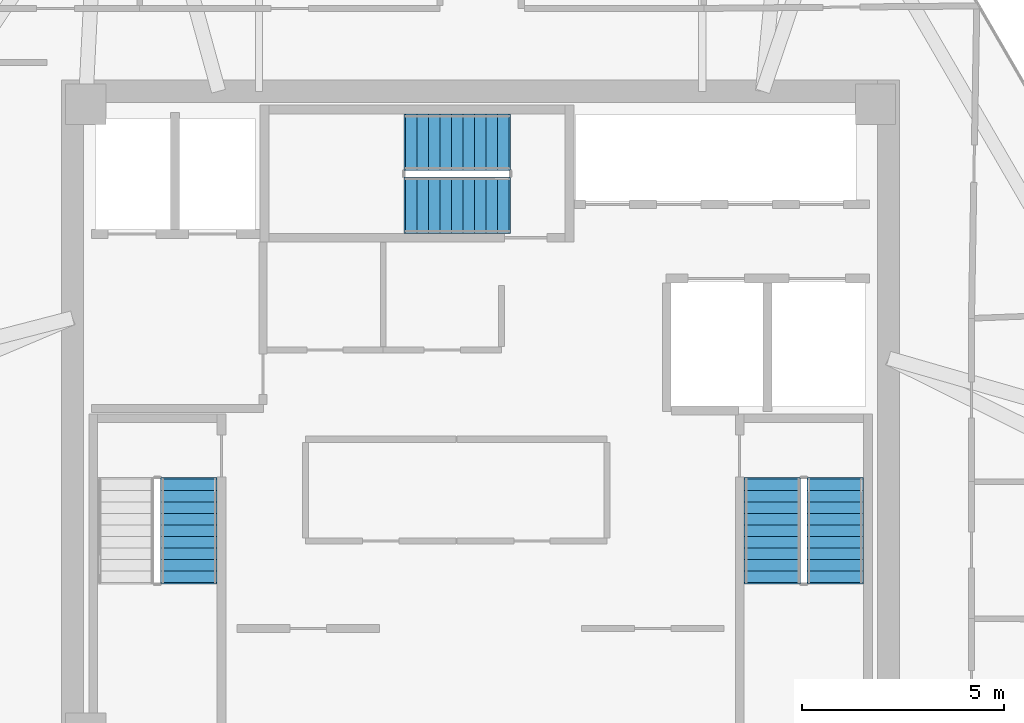
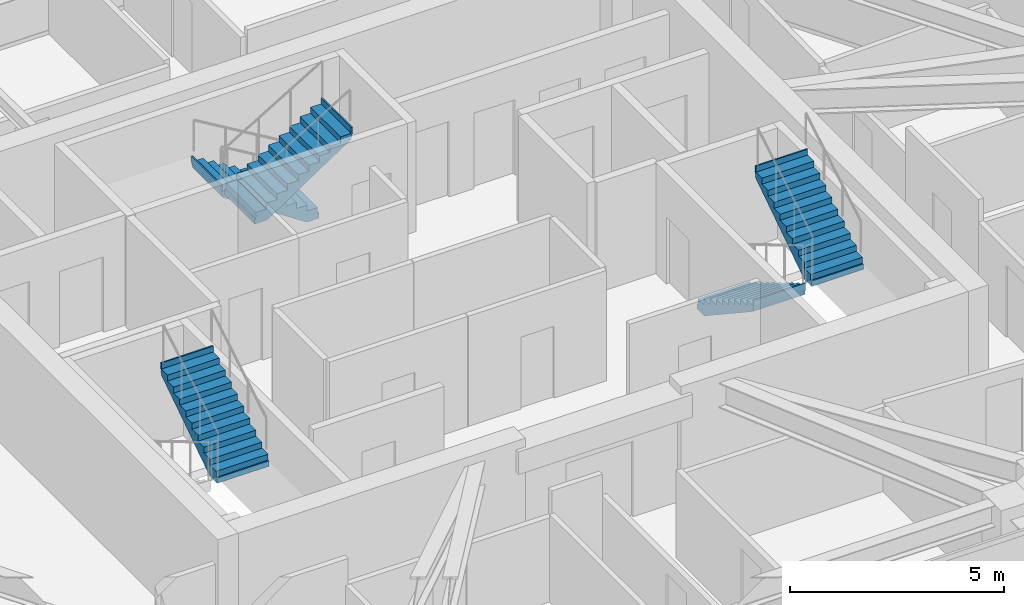
# One storey, part 12 of 13: 5 stair flights, 3 elements without a shape of their own.
"""IFC4 building model written with IfcOpenShell, lengths in metres."""

import ifcopenshell
import ifcopenshell.guid

model = None  # the IFC model being written
_history = None  # IfcOwnerHistory: only IFC2X3 demands one
_inside = {}  # id of a spatial element -> (the spatial element, [elements in it])
_under = {}  # id of a project, library or spatial element -> (it, [spatial elements below it])
_declared = {}  # id of a project -> (the project, [libraries it declares])
_typed = {}  # id of a type object -> (the type object, [elements of that type])
_made_of = {}  # id of a material, layer set ... -> (it, [elements and type objects made of it])


def new_model(schema):
    """Start an empty IFC model of exactly this schema.

    Asked for "IFC4X3", IfcOpenShell would pick the latest addendum, in which some entities
    have other attributes; the version numbers below select the first issue.
    IFC2X3 requires an IfcOwnerHistory on every rooted entity: one is made here for all.
    """
    global model, _history
    if schema == "IFC4X3":
        model = ifcopenshell.file(schema_version=(4, 3, 0, 0))
    else:
        model = ifcopenshell.file(schema=schema)
    _inside.clear()
    _under.clear()
    _declared.clear()
    _typed.clear()
    _made_of.clear()
    _history = None
    if model.schema == "IFC2X3":
        org = make("IfcOrganization", Name="unknown")
        user = make(
            "IfcPersonAndOrganization",
            ThePerson=make("IfcPerson", FamilyName="unknown"),
            TheOrganization=org,
        )
        app = make(
            "IfcApplication",
            ApplicationDeveloper=org,
            Version="unknown",
            ApplicationFullName="unknown",
            ApplicationIdentifier="unknown",
        )
        _history = make(
            "IfcOwnerHistory",
            OwningUser=user,
            OwningApplication=app,
            ChangeAction="ADDED",
            CreationDate=0,
        )
    return model


def make(cls, **values):
    """One entity of the class cls with the attributes given. An attribute that is None is left unset."""
    return model.create_entity(
        cls, **{name: value for name, value in values.items() if value is not None}
    )


def rooted(cls, **values):
    """An entity with a GlobalId (a new one), such as an element, a storey or a relation."""
    return make(cls, GlobalId=ifcopenshell.guid.new(), OwnerHistory=_history, **values)


def si_unit(unit_type, name, prefix=None):
    """IfcSIUnit, for example si_unit("LENGTHUNIT", "METRE", prefix="MILLI")."""
    return make("IfcSIUnit", UnitType=unit_type, Prefix=prefix, Name=name)


def assignment(units):
    """IfcUnitAssignment: the units of a project."""
    return None if units is None else make("IfcUnitAssignment", Units=units)


def point(xyz):
    """IfcCartesianPoint."""
    return None if xyz is None else make("IfcCartesianPoint", Coordinates=xyz)


def direction(xyz):
    """IfcDirection."""
    return None if xyz is None else make("IfcDirection", DirectionRatios=xyz)


def frame(location, z_axis=None, x_axis=None):
    """IfcAxis2Placement3D, a coordinate frame: its origin and axes. An axis left out is left unset."""
    return make(
        "IfcAxis2Placement3D",
        Location=point(location),
        Axis=direction(z_axis),
        RefDirection=direction(x_axis),
    )


def origin():
    """The frame at (0, 0, 0) with its axes left unset."""
    return frame((0.0, 0.0, 0.0))


def place(relative_to, where):
    """IfcLocalPlacement: puts the frame where relative to a parent placement (None: the world)."""
    return make(
        "IfcLocalPlacement", PlacementRelTo=relative_to, RelativePlacement=where
    )


def context(
    kind, dimensions, precision=None, world=None, true_north=None, identifier=None
):
    """IfcGeometricRepresentationContext, for example the 3D "Model" context."""
    return make(
        "IfcGeometricRepresentationContext",
        ContextIdentifier=identifier,
        ContextType=kind,
        CoordinateSpaceDimension=dimensions,
        Precision=precision,
        WorldCoordinateSystem=world,
        TrueNorth=true_north,
    )


def subcontext(parent, identifier, kind, view, scale=None):
    """IfcGeometricRepresentationSubContext, for example "Body" below "Model"."""
    return make(
        "IfcGeometricRepresentationSubContext",
        ContextIdentifier=identifier,
        ContextType=kind,
        ParentContext=parent,
        TargetScale=scale,
        TargetView=view,
    )


def project(units=None, contexts=None):
    """IfcProject with its units and contexts."""
    return rooted(
        "IfcProject",
        Name="project",
        RepresentationContexts=contexts,
        UnitsInContext=assignment(units),
    )


def spatial(cls, under=None, at=None, **own):
    """A site, building, storey or space (cls), placed at a placement, below another one or the project."""
    s = rooted(cls, ObjectPlacement=at, **own)
    if under is not None:
        _under.setdefault(under.id(), (under, []))[1].append(s)
    return s


def polyline(points):
    """IfcPolyline through the points."""
    return make("IfcPolyline", Points=[point(p) for p in points])


def outline(outer, holes=None, kind="AREA"):
    """IfcArbitraryClosedProfileDef: a profile drawn as a closed curve; with holes, ...WithVoids."""
    if holes is None:
        return make("IfcArbitraryClosedProfileDef", ProfileType=kind, OuterCurve=outer)
    return make(
        "IfcArbitraryProfileDefWithVoids",
        ProfileType=kind,
        OuterCurve=outer,
        InnerCurves=holes,
    )


def extrude(swept, where, along, depth):
    """IfcExtrudedAreaSolid: the profile swept, set in the frame where, extruded along a direction by depth."""
    return make(
        "IfcExtrudedAreaSolid",
        SweptArea=swept,
        Position=where,
        ExtrudedDirection=direction(along),
        Depth=depth,
    )


def shape(context_of_items, identifier, shape_type, items):
    """IfcShapeRepresentation: the items that make up one representation, for example the "Body"."""
    return make(
        "IfcShapeRepresentation",
        ContextOfItems=context_of_items,
        RepresentationIdentifier=identifier,
        RepresentationType=shape_type,
        Items=items,
    )


def material(Name=None, Category=None):
    """IfcMaterial."""
    return make("IfcMaterial", Name=Name, Category=Category)


def made_of(thing, what):
    """Note that an element or type object is made of a material, layer set ...; save() writes the relation."""
    if what is not None:
        _made_of.setdefault(what.id(), (what, []))[1].append(thing)
    return thing


def type_object(cls, material=None, **own):
    """A type object (cls), such as IfcWallType, which elements share."""
    return made_of(rooted(cls, **own), material)


def element(
    cls,
    number,
    at=None,
    inside=None,
    cuts=None,
    type_object=None,
    material=None,
    context=None,
    identifier="Body",
    shape_type=None,
    held_by="IfcProductDefinitionShape",
    body=None,
    shapes=None,
    **own,
):
    """One element of the class cls, such as IfcWall. Its Tag is "e" and its number.

    at: its placement. inside: the storey or other place that contains it. cuts: it is an
    opening in that element (IfcRelVoidsElement). A single representation is given by context,
    identifier, shape_type and body (its items); several are given by shapes. held_by: the class
    of the entity that holds the representations. save() writes the other relations.
    """
    e = rooted(cls, Tag="e%d" % number, ObjectPlacement=at, **own)
    if body is not None:
        shapes = [shape(context, identifier, shape_type, body)]
    if shapes is not None:
        e.Representation = make(held_by, Representations=shapes)
    if inside is not None:
        _inside.setdefault(inside.id(), (inside, []))[1].append(e)
    if cuts is not None:
        rooted(
            "IfcRelVoidsElement", RelatingBuildingElement=cuts, RelatedOpeningElement=e
        )
    if type_object is not None:
        _typed.setdefault(type_object.id(), (type_object, []))[1].append(e)
    return made_of(e, material)


def aggregate(whole, parts):
    """IfcRelAggregates: a whole, such as a stair, and the parts it consists of."""
    return rooted("IfcRelAggregates", RelatingObject=whole, RelatedObjects=parts)


def save(model, path):
    """Write the relations noted so far, then the file.

    IfcRelAggregates (storeys below a building ...), IfcRelContainedInSpatialStructure (elements
    in a storey), IfcRelDefinesByType, IfcRelAssociatesMaterial and IfcRelDeclares: one each for
    every whole, place, type object, material and project.
    """
    for whole, parts in _under.values():
        aggregate(whole, parts)
    for where, things in _inside.values():
        rooted(
            "IfcRelContainedInSpatialStructure",
            RelatedElements=things,
            RelatingStructure=where,
        )
    for kind, things in _typed.values():
        rooted("IfcRelDefinesByType", RelatedObjects=things, RelatingType=kind)
    for what, things in _made_of.values():
        rooted("IfcRelAssociatesMaterial", RelatedObjects=things, RelatingMaterial=what)
    for by, libraries in _declared.values():
        rooted("IfcRelDeclares", RelatingContext=by, RelatedDefinitions=libraries)
    model.write(path)


model = new_model("IFC4")

# Units and contexts
model_context = context("Model", 3, precision=1e-05, world=origin(), true_north=direction((0.0, 1.0)))
body_context = subcontext(model_context, "Body", "Model", "MODEL_VIEW")
ifc_project = project(units=[si_unit("LENGTHUNIT", "METRE"), si_unit("AREAUNIT", "SQUARE_METRE"), si_unit("VOLUMEUNIT", "CUBIC_METRE"), si_unit("PLANEANGLEUNIT", "RADIAN"), si_unit("MASSUNIT", "GRAM", prefix="KILO")], contexts=[model_context])

# Site, building, storey
site_placement = place(None, origin())
site = spatial("IfcSite", under=ifc_project, at=site_placement, CompositionType="ELEMENT")
building_placement = place(site_placement, origin())
building = spatial("IfcBuilding", under=site, at=building_placement, Name="Durnholm Broadcast Tower", CompositionType="ELEMENT")
storey_placement = place(building_placement, frame((0.0, 0.0, 254.699951171875)))
storey = spatial("IfcBuildingStorey", under=building, at=storey_placement, Name="L71", CompositionType="ELEMENT", Elevation=254.699951171875)

# Stair, stair flight
ifc_material = material(Name="Concrete C50/60", Category="concrete")
stair_type = type_object("IfcStairType", Name="STAIR-DL-20R1700", PredefinedType="HALF_TURN_STAIR", material=ifc_material)
stair_1_placement = place(storey_placement, origin())
stair_1 = element("IfcStair", 1, at=stair_1_placement, inside=storey, type_object=stair_type, Name="L71 ST-1", PredefinedType="HALF_TURN_STAIR")
stair_flight_type = type_object("IfcStairFlightType", Name="FLIGHT-DL-20R1700", PredefinedType="STRAIGHT", material=ifc_material)
stair_flight_1_placement = place(storey_placement, frame((-7.239990234375, -4.06494140625, 1.699951171875), z_axis=(0.0, 0.0, 1.0), x_axis=(0.0, 1.0, 0.0)))
stair_flight_1 = element("IfcStairFlight", 2, at=stair_flight_1_placement, type_object=stair_flight_type, Name="ST-1 flight 2", NumberOfRisers=10, NumberOfTreads=9, PredefinedType="STRAIGHT", RiserHeight=0.17, TreadLength=0.285, context=body_context, shape_type="SweptSolid", body=[
    extrude(outline(polyline([(-0.0400390625, -0.14990234375), (-0.0400390625, 0.0), (0.0, 0.0), (0.0, 0.169921875), (0.284912109375, 0.169921875), (0.284912109375, 0.340087890625), (0.570068359375, 0.340087890625), (0.570068359375, 0.510009765625), (0.85498046875, 0.510009765625), (0.85498046875, 0.679931640625), (1.139892578125, 0.679931640625), (1.139892578125, 0.85009765625), (1.425048828125, 0.85009765625), (1.425048828125, 1.02001953125), (1.7099609375, 1.02001953125), (1.7099609375, 1.18994140625), (1.9951171875, 1.18994140625), (1.9951171875, 1.360107421875), (2.280029296875, 1.360107421875), (2.280029296875, 1.530029296875), (2.56494140625, 1.530029296875), (2.56494140625, 1.699951171875), (2.60498046875, 1.699951171875), (2.60498046875, 1.550048828125), (2.56494140625, 1.35546875), (0.292724609375, -0.14990234375), (-0.0400390625, -0.14990234375)])), frame((0.0, 0.699951171875, 0.0), z_axis=(0.0, -1.0, 0.0), x_axis=(1.0, 0.0, 0.0)), (0.0, 0.0, 1.0), 1.39990234375),
])
aggregate(stair_1, [stair_flight_1])

# Stair, stair flights
stair_2_placement = place(storey_placement, origin())
stair_2 = element("IfcStair", 3, at=stair_2_placement, inside=storey, type_object=stair_type, Name="L71 ST-2", PredefinedType="HALF_TURN_STAIR")
stair_flight_2_placement = place(storey_placement, frame((7.239990234375, -1.5, 0.0), z_axis=(0.0, 0.0, 1.0), x_axis=(0.0, -1.0, 0.0)))
stair_flight_2 = element("IfcStairFlight", 4, at=stair_flight_2_placement, type_object=stair_flight_type, Name="ST-2 flight 1", NumberOfRisers=10, NumberOfTreads=9, PredefinedType="STRAIGHT", RiserHeight=0.17, TreadLength=0.285, context=body_context, shape_type="SweptSolid", body=[
    extrude(outline(polyline([(-0.0400390625, -0.14990234375), (-0.0400390625, 0.0), (0.0, 0.0), (0.0, 0.169921875), (0.284912109375, 0.169921875), (0.284912109375, 0.340087890625), (0.570068359375, 0.340087890625), (0.570068359375, 0.510009765625), (0.85498046875, 0.510009765625), (0.85498046875, 0.679931640625), (1.139892578125, 0.679931640625), (1.139892578125, 0.85009765625), (1.425048828125, 0.85009765625), (1.425048828125, 1.02001953125), (1.7099609375, 1.02001953125), (1.7099609375, 1.18994140625), (1.9951171875, 1.18994140625), (1.9951171875, 1.360107421875), (2.280029296875, 1.360107421875), (2.280029296875, 1.530029296875), (2.56494140625, 1.530029296875), (2.56494140625, 1.699951171875), (2.60498046875, 1.699951171875), (2.60498046875, 1.550048828125), (2.56494140625, 1.35546875), (0.292724609375, -0.14990234375), (-0.0400390625, -0.14990234375)])), frame((0.0, 0.699951171875, 0.0), z_axis=(0.0, -1.0, 0.0), x_axis=(1.0, 0.0, 0.0)), (0.0, 0.0, 1.0), 1.39990234375),
])
stair_flight_3_placement = place(storey_placement, frame((8.800048828125, -4.06494140625, 1.699951171875), z_axis=(0.0, 0.0, 1.0), x_axis=(0.0, 1.0, 0.0)))
stair_flight_3 = element("IfcStairFlight", 5, at=stair_flight_3_placement, type_object=stair_flight_type, Name="ST-2 flight 2", NumberOfRisers=10, NumberOfTreads=9, PredefinedType="STRAIGHT", RiserHeight=0.17, TreadLength=0.285, context=body_context, shape_type="SweptSolid", body=[
    extrude(outline(polyline([(-0.0400390625, -0.14990234375), (-0.0400390625, 0.0), (0.0, 0.0), (0.0, 0.169921875), (0.284912109375, 0.169921875), (0.284912109375, 0.340087890625), (0.570068359375, 0.340087890625), (0.570068359375, 0.510009765625), (0.85498046875, 0.510009765625), (0.85498046875, 0.679931640625), (1.139892578125, 0.679931640625), (1.139892578125, 0.85009765625), (1.425048828125, 0.85009765625), (1.425048828125, 1.02001953125), (1.7099609375, 1.02001953125), (1.7099609375, 1.18994140625), (1.9951171875, 1.18994140625), (1.9951171875, 1.360107421875), (2.280029296875, 1.360107421875), (2.280029296875, 1.530029296875), (2.56494140625, 1.530029296875), (2.56494140625, 1.699951171875), (2.60498046875, 1.699951171875), (2.60498046875, 1.550048828125), (2.56494140625, 1.35546875), (0.292724609375, -0.14990234375), (-0.0400390625, -0.14990234375)])), frame((0.0, 0.699951171875, 0.0), z_axis=(0.0, -1.0, 0.0), x_axis=(1.0, 0.0, 0.0)), (0.0, 0.0, 1.0), 1.39990234375),
])
aggregate(stair_2, [stair_flight_2, stair_flight_3])

stair_3_placement = place(storey_placement, origin())
stair_3 = element("IfcStair", 6, at=stair_3_placement, inside=storey, type_object=stair_type, Name="L71 ST-3", PredefinedType="HALF_TURN_STAIR")
stair_flight_4_placement = place(storey_placement, frame((0.699951171875, 6.860107421875, 0.0), z_axis=(0.0, 0.0, 1.0), x_axis=(-1.0, 0.0, 0.0)))
stair_flight_4 = element("IfcStairFlight", 7, at=stair_flight_4_placement, type_object=stair_flight_type, Name="ST-3 flight 1", NumberOfRisers=10, NumberOfTreads=9, PredefinedType="STRAIGHT", RiserHeight=0.17, TreadLength=0.285, context=body_context, shape_type="SweptSolid", body=[
    extrude(outline(polyline([(-0.0400390625, -0.14990234375), (-0.0400390625, 0.0), (0.0, 0.0), (0.0, 0.169921875), (0.284912109375, 0.169921875), (0.284912109375, 0.340087890625), (0.570068359375, 0.340087890625), (0.570068359375, 0.510009765625), (0.85498046875, 0.510009765625), (0.85498046875, 0.679931640625), (1.139892578125, 0.679931640625), (1.139892578125, 0.85009765625), (1.425048828125, 0.85009765625), (1.425048828125, 1.02001953125), (1.7099609375, 1.02001953125), (1.7099609375, 1.18994140625), (1.9951171875, 1.18994140625), (1.9951171875, 1.360107421875), (2.280029296875, 1.360107421875), (2.280029296875, 1.530029296875), (2.56494140625, 1.530029296875), (2.56494140625, 1.699951171875), (2.60498046875, 1.699951171875), (2.60498046875, 1.550048828125), (2.56494140625, 1.35546875), (0.292724609375, -0.14990234375), (-0.0400390625, -0.14990234375)])), frame((0.0, 0.699951171875, 0.0), z_axis=(0.0, -1.0, 0.0), x_axis=(1.0, 0.0, 0.0)), (0.0, 0.0, 1.0), 1.39990234375),
])
stair_flight_5_placement = place(storey_placement, frame((-1.864990234375, 5.300048828125, 1.699951171875), z_axis=(0.0, 0.0, 1.0), x_axis=(1.0, 0.0, 0.0)))
stair_flight_5 = element("IfcStairFlight", 8, at=stair_flight_5_placement, type_object=stair_flight_type, Name="ST-3 flight 2", NumberOfRisers=10, NumberOfTreads=9, PredefinedType="STRAIGHT", RiserHeight=0.17, TreadLength=0.285, context=body_context, shape_type="SweptSolid", body=[
    extrude(outline(polyline([(-0.0400390625, -0.14990234375), (-0.0400390625, 0.0), (0.0, 0.0), (0.0, 0.169921875), (0.284912109375, 0.169921875), (0.284912109375, 0.340087890625), (0.570068359375, 0.340087890625), (0.570068359375, 0.510009765625), (0.85498046875, 0.510009765625), (0.85498046875, 0.679931640625), (1.139892578125, 0.679931640625), (1.139892578125, 0.85009765625), (1.425048828125, 0.85009765625), (1.425048828125, 1.02001953125), (1.7099609375, 1.02001953125), (1.7099609375, 1.18994140625), (1.9951171875, 1.18994140625), (1.9951171875, 1.360107421875), (2.280029296875, 1.360107421875), (2.280029296875, 1.530029296875), (2.56494140625, 1.530029296875), (2.56494140625, 1.699951171875), (2.60498046875, 1.699951171875), (2.60498046875, 1.550048828125), (2.56494140625, 1.35546875), (0.292724609375, -0.14990234375), (-0.0400390625, -0.14990234375)])), frame((0.0, 0.699951171875, 0.0), z_axis=(0.0, -1.0, 0.0), x_axis=(1.0, 0.0, 0.0)), (0.0, 0.0, 1.0), 1.39990234375),
])
aggregate(stair_3, [stair_flight_4, stair_flight_5])

save(model, "model.ifc")
